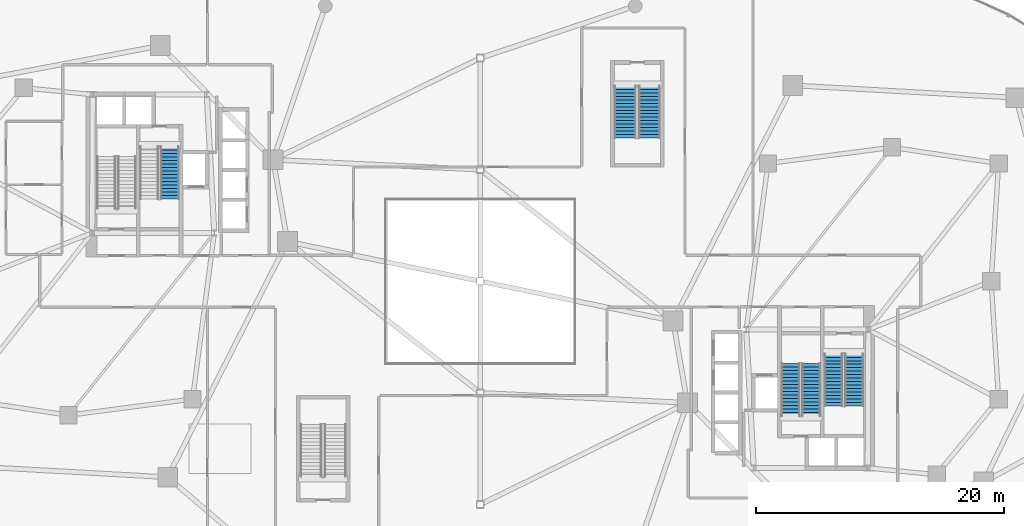
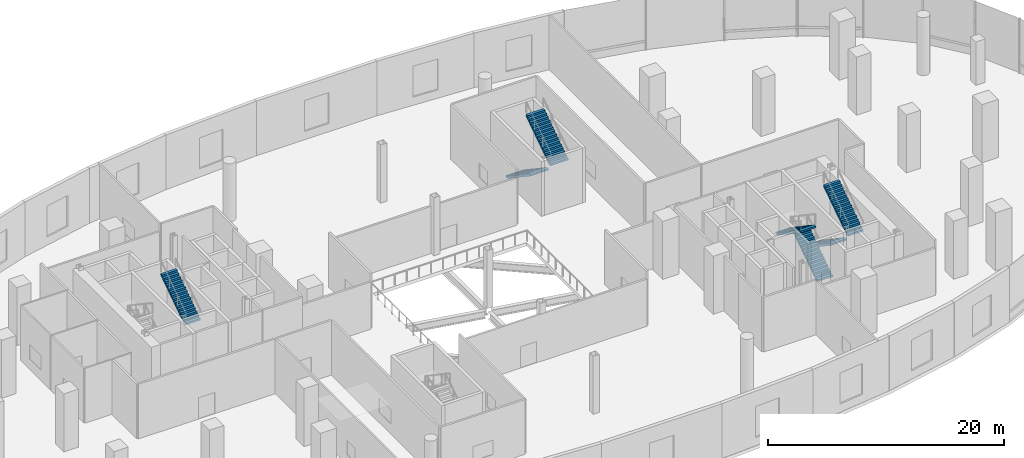
# One storey, part 16 of 20: 7 stair flights, 4 elements without a shape of their own.
"""IFC4 building model written with IfcOpenShell, lengths in metres."""

from ifc_helpers import new_model, si_unit, direction, frame, origin, place, context, subcontext, project, spatial, polyline, outline, extrude, material, type_object, element, aggregate, save


model = new_model("IFC4")

# Units and contexts
model_context = context("Model", 3, precision=1e-05, world=origin(), true_north=direction((0.0, 1.0)))
body_context = subcontext(model_context, "Body", "Model", "MODEL_VIEW")
ifc_project = project(units=[si_unit("LENGTHUNIT", "METRE"), si_unit("AREAUNIT", "SQUARE_METRE"), si_unit("VOLUMEUNIT", "CUBIC_METRE"), si_unit("PLANEANGLEUNIT", "RADIAN"), si_unit("MASSUNIT", "GRAM", prefix="KILO"), si_unit("THERMODYNAMICTEMPERATUREUNIT", "KELVIN"), si_unit("POWERUNIT", "WATT")], contexts=[model_context])

# Site, building, storey
site_placement = place(None, origin())
site = spatial("IfcSite", under=ifc_project, at=site_placement, CompositionType="ELEMENT")
building_placement = place(site_placement, origin())
building = spatial("IfcBuilding", under=site, at=building_placement, Name="Cundina Bronze Exchange", CompositionType="ELEMENT")
storey_placement = place(building_placement, frame((0.0, 0.0, 6.0)))
storey = spatial("IfcBuildingStorey", under=building, at=storey_placement, Name="L01", CompositionType="ELEMENT", Elevation=6.0)

# Stair, stair flights
ifc_material = material(Name="Concrete C40/50", Category="concrete")
stair_type_1 = type_object("IfcStairType", Name="STR-CON-600", PredefinedType="STRAIGHT_RUN_STAIR", material=ifc_material)
stair_1_placement = place(storey_placement, origin())
stair_1 = element("IfcStair", 1, at=stair_1_placement, inside=storey, type_object=stair_type_1, Name="L01 Concourse Exchange Stair E", PredefinedType="HALF_TURN_STAIR")
stair_flight_type_1 = type_object("IfcStairFlightType", Name="FLG-CON-300", PredefinedType="STRAIGHT", material=ifc_material)
stair_flight_1_placement = place(storey_placement, frame((11.695068359375, 15.75, 0.0), z_axis=(0.0, 0.0, 1.0), x_axis=(0.0, -1.0, 0.0)))
stair_flight_1 = element("IfcStairFlight", 2, at=stair_flight_1_placement, type_object=stair_flight_type_1, Name="ST-PE flight 1", NumberOfRisers=16, NumberOfTreads=15, PredefinedType="STRAIGHT", RiserHeight=0.1875, TreadLength=0.28, context=body_context, shape_type="SweptSolid", body=[
    extrude(outline(polyline([(0.0, 0.0), (0.0, 0.1875), (0.280029296875, 0.1875), (0.280029296875, 0.375), (0.56005859375, 0.375), (0.56005859375, 0.5625), (0.840087890625, 0.5625), (0.840087890625, 0.75), (1.1201171875, 0.75), (1.1201171875, 0.9375), (1.39990234375, 0.9375), (1.39990234375, 1.125), (1.679931640625, 1.125), (1.679931640625, 1.3125), (1.9599609375, 1.3125), (1.9599609375, 1.5), (2.239990234375, 1.5), (2.239990234375, 1.6875), (2.52001953125, 1.6875), (2.52001953125, 1.875), (2.800048828125, 1.875), (2.800048828125, 2.0625), (3.080078125, 2.0625), (3.080078125, 2.25), (3.360107421875, 2.25), (3.360107421875, 2.4375), (3.639892578125, 2.4375), (3.639892578125, 2.625), (3.919921875, 2.625), (3.919921875, 2.8125), (4.199951171875, 2.8125), (4.199951171875, 3.0), (4.199951171875, 2.632080078125), (0.26953125, 0.0), (0.0, 0.0)])), frame((0.0, 0.875, 0.0), z_axis=(0.0, -1.0, 0.0), x_axis=(1.0, 0.0, 0.0)), (0.0, 0.0, 1.0), 1.75),
])
stair_flight_2_placement = place(storey_placement, frame((13.64501953125, 11.550048828125, 3.0), z_axis=(0.0, 0.0, 1.0), x_axis=(0.0, 1.0, 0.0)))
stair_flight_2 = element("IfcStairFlight", 3, at=stair_flight_2_placement, type_object=stair_flight_type_1, Name="ST-PE flight 2", NumberOfRisers=16, NumberOfTreads=15, PredefinedType="STRAIGHT", RiserHeight=0.1875, TreadLength=0.28, context=body_context, shape_type="SweptSolid", body=[
    extrude(outline(polyline([(0.0, 0.0), (0.0, 0.1875), (0.280029296875, 0.1875), (0.280029296875, 0.375), (0.56005859375, 0.375), (0.56005859375, 0.5625), (0.840087890625, 0.5625), (0.840087890625, 0.75), (1.1201171875, 0.75), (1.1201171875, 0.9375), (1.39990234375, 0.9375), (1.39990234375, 1.125), (1.679931640625, 1.125), (1.679931640625, 1.3125), (1.9599609375, 1.3125), (1.9599609375, 1.5), (2.239990234375, 1.5), (2.239990234375, 1.6875), (2.52001953125, 1.6875), (2.52001953125, 1.875), (2.800048828125, 1.875), (2.800048828125, 2.0625), (3.080078125, 2.0625), (3.080078125, 2.25), (3.360107421875, 2.25), (3.360107421875, 2.4375), (3.639892578125, 2.4375), (3.639892578125, 2.625), (3.919921875, 2.625), (3.919921875, 2.8125), (4.199951171875, 2.8125), (4.199951171875, 3.0), (4.199951171875, 2.632080078125), (0.26953125, 0.0), (0.0, 0.0)])), frame((0.0, 0.875, 0.0), z_axis=(0.0, -1.0, 0.0), x_axis=(1.0, 0.0, 0.0)), (0.0, 0.0, 1.0), 1.75),
])
aggregate(stair_1, [stair_flight_1, stair_flight_2])

# Stair, stair flight
stair_type_2 = type_object("IfcStairType", Name="STR-POD-600", PredefinedType="HALF_TURN_STAIR", material=ifc_material)
stair_2_placement = place(storey_placement, origin())
stair_2 = element("IfcStair", 4, at=stair_2_placement, inside=storey, type_object=stair_type_2, Name="L01 Smokeproof Exit Stair W2", PredefinedType="HALF_TURN_STAIR")
stair_flight_type_2 = type_object("IfcStairFlightType", Name="FLG-POD-300", PredefinedType="STRAIGHT", material=ifc_material)
stair_flight_3_placement = place(storey_placement, frame((-25.030029296875, 6.64990234375, 3.0), z_axis=(0.0, 0.0, 1.0), x_axis=(0.0, 1.0, 0.0)))
stair_flight_3 = element("IfcStairFlight", 5, at=stair_flight_3_placement, type_object=stair_flight_type_2, Name="ST-W2 flight 2", NumberOfRisers=16, NumberOfTreads=15, PredefinedType="STRAIGHT", RiserHeight=0.1875, TreadLength=0.28, context=body_context, shape_type="SweptSolid", body=[
    extrude(outline(polyline([(0.0, 0.0), (0.0, 0.1875), (0.280029296875, 0.1875), (0.280029296875, 0.375), (0.56005859375, 0.375), (0.56005859375, 0.5625), (0.840087890625, 0.5625), (0.840087890625, 0.75), (1.1201171875, 0.75), (1.1201171875, 0.9375), (1.39990234375, 0.9375), (1.39990234375, 1.125), (1.679931640625, 1.125), (1.679931640625, 1.3125), (1.9599609375, 1.3125), (1.9599609375, 1.5), (2.239990234375, 1.5), (2.239990234375, 1.6875), (2.52001953125, 1.6875), (2.52001953125, 1.875), (2.800048828125, 1.875), (2.800048828125, 2.0625), (3.080078125, 2.0625), (3.080078125, 2.25), (3.360107421875, 2.25), (3.360107421875, 2.4375), (3.639892578125, 2.4375), (3.639892578125, 2.625), (3.919921875, 2.625), (3.919921875, 2.8125), (4.199951171875, 2.8125), (4.199951171875, 3.0), (4.199951171875, 2.632080078125), (0.26953125, 0.0), (0.0, 0.0)])), frame((0.0, 0.75, 0.0), z_axis=(0.0, -1.0, 0.0), x_axis=(1.0, 0.0, 0.0)), (0.0, 0.0, 1.0), 1.5),
])
aggregate(stair_2, [stair_flight_3])

# Stair, stair flights
stair_3_placement = place(storey_placement, origin())
stair_3 = element("IfcStair", 6, at=stair_3_placement, inside=storey, type_object=stair_type_2, Name="L01 Smokeproof Exit Stair E1", PredefinedType="HALF_TURN_STAIR")
stair_flight_4_placement = place(storey_placement, frame((28.489990234375, -5.85009765625, 0.0), z_axis=(0.0, 0.0, 1.0), x_axis=(0.0, -1.0, 0.0)))
stair_flight_4 = element("IfcStairFlight", 7, at=stair_flight_4_placement, type_object=stair_flight_type_2, Name="ST-E1 flight 1", NumberOfRisers=16, NumberOfTreads=15, PredefinedType="STRAIGHT", RiserHeight=0.1875, TreadLength=0.28, context=body_context, shape_type="SweptSolid", body=[
    extrude(outline(polyline([(0.0, 0.0), (0.0, 0.1875), (0.280029296875, 0.1875), (0.280029296875, 0.375), (0.56005859375, 0.375), (0.56005859375, 0.5625), (0.840087890625, 0.5625), (0.840087890625, 0.75), (1.1201171875, 0.75), (1.1201171875, 0.9375), (1.39990234375, 0.9375), (1.39990234375, 1.125), (1.679931640625, 1.125), (1.679931640625, 1.3125), (1.9599609375, 1.3125), (1.9599609375, 1.5), (2.239990234375, 1.5), (2.239990234375, 1.6875), (2.52001953125, 1.6875), (2.52001953125, 1.875), (2.800048828125, 1.875), (2.800048828125, 2.0625), (3.080078125, 2.0625), (3.080078125, 2.25), (3.360107421875, 2.25), (3.360107421875, 2.4375), (3.639892578125, 2.4375), (3.639892578125, 2.625), (3.919921875, 2.625), (3.919921875, 2.8125), (4.199951171875, 2.8125), (4.199951171875, 3.0), (4.199951171875, 2.632080078125), (0.26953125, 0.0), (0.0, 0.0)])), frame((0.0, 0.75, 0.0), z_axis=(0.0, -1.0, 0.0), x_axis=(1.0, 0.0, 0.0)), (0.0, 0.0, 1.0), 1.5),
])
stair_flight_5_placement = place(storey_placement, frame((30.14990234375, -10.050048828125, 3.0), z_axis=(0.0, 0.0, 1.0), x_axis=(0.0, 1.0, 0.0)))
stair_flight_5 = element("IfcStairFlight", 8, at=stair_flight_5_placement, type_object=stair_flight_type_2, Name="ST-E1 flight 2", NumberOfRisers=16, NumberOfTreads=15, PredefinedType="STRAIGHT", RiserHeight=0.1875, TreadLength=0.28, context=body_context, shape_type="SweptSolid", body=[
    extrude(outline(polyline([(0.0, 0.0), (0.0, 0.1875), (0.280029296875, 0.1875), (0.280029296875, 0.375), (0.56005859375, 0.375), (0.56005859375, 0.5625), (0.840087890625, 0.5625), (0.840087890625, 0.75), (1.1201171875, 0.75), (1.1201171875, 0.9375), (1.39990234375, 0.9375), (1.39990234375, 1.125), (1.679931640625, 1.125), (1.679931640625, 1.3125), (1.9599609375, 1.3125), (1.9599609375, 1.5), (2.239990234375, 1.5), (2.239990234375, 1.6875), (2.52001953125, 1.6875), (2.52001953125, 1.875), (2.800048828125, 1.875), (2.800048828125, 2.0625), (3.080078125, 2.0625), (3.080078125, 2.25), (3.360107421875, 2.25), (3.360107421875, 2.4375), (3.639892578125, 2.4375), (3.639892578125, 2.625), (3.919921875, 2.625), (3.919921875, 2.8125), (4.199951171875, 2.8125), (4.199951171875, 3.0), (4.199951171875, 2.632080078125), (0.26953125, 0.0), (0.0, 0.0)])), frame((0.0, 0.75, 0.0), z_axis=(0.0, -1.0, 0.0), x_axis=(1.0, 0.0, 0.0)), (0.0, 0.0, 1.0), 1.5),
])
aggregate(stair_3, [stair_flight_4, stair_flight_5])

stair_4_placement = place(storey_placement, origin())
stair_4 = element("IfcStair", 9, at=stair_4_placement, inside=storey, type_object=stair_type_2, Name="L01 Smokeproof Exit Stair E2", PredefinedType="HALF_TURN_STAIR")
stair_flight_6_placement = place(storey_placement, frame((26.68994140625, -10.85009765625, 0.0), z_axis=(0.0, 0.0, 1.0), x_axis=(0.0, 1.0, 0.0)))
stair_flight_6 = element("IfcStairFlight", 10, at=stair_flight_6_placement, type_object=stair_flight_type_2, Name="ST-E2 flight 1", NumberOfRisers=16, NumberOfTreads=15, PredefinedType="STRAIGHT", RiserHeight=0.1875, TreadLength=0.28, context=body_context, shape_type="SweptSolid", body=[
    extrude(outline(polyline([(0.0, 0.0), (0.0, 0.1875), (0.280029296875, 0.1875), (0.280029296875, 0.375), (0.56005859375, 0.375), (0.56005859375, 0.5625), (0.840087890625, 0.5625), (0.840087890625, 0.75), (1.1201171875, 0.75), (1.1201171875, 0.9375), (1.39990234375, 0.9375), (1.39990234375, 1.125), (1.679931640625, 1.125), (1.679931640625, 1.3125), (1.9599609375, 1.3125), (1.9599609375, 1.5), (2.239990234375, 1.5), (2.239990234375, 1.6875), (2.52001953125, 1.6875), (2.52001953125, 1.875), (2.800048828125, 1.875), (2.800048828125, 2.0625), (3.080078125, 2.0625), (3.080078125, 2.25), (3.360107421875, 2.25), (3.360107421875, 2.4375), (3.639892578125, 2.4375), (3.639892578125, 2.625), (3.919921875, 2.625), (3.919921875, 2.8125), (4.199951171875, 2.8125), (4.199951171875, 3.0), (4.199951171875, 2.632080078125), (0.26953125, 0.0), (0.0, 0.0)])), frame((0.0, 0.75, 0.0), z_axis=(0.0, -1.0, 0.0), x_axis=(1.0, 0.0, 0.0)), (0.0, 0.0, 1.0), 1.5),
])
stair_flight_7_placement = place(storey_placement, frame((25.030029296875, -6.64990234375, 3.0), z_axis=(0.0, 0.0, 1.0), x_axis=(0.0, -1.0, 0.0)))
stair_flight_7 = element("IfcStairFlight", 11, at=stair_flight_7_placement, type_object=stair_flight_type_2, Name="ST-E2 flight 2", NumberOfRisers=16, NumberOfTreads=15, PredefinedType="STRAIGHT", RiserHeight=0.1875, TreadLength=0.28, context=body_context, shape_type="SweptSolid", body=[
    extrude(outline(polyline([(0.0, 0.0), (0.0, 0.1875), (0.280029296875, 0.1875), (0.280029296875, 0.375), (0.56005859375, 0.375), (0.56005859375, 0.5625), (0.840087890625, 0.5625), (0.840087890625, 0.75), (1.1201171875, 0.75), (1.1201171875, 0.9375), (1.39990234375, 0.9375), (1.39990234375, 1.125), (1.679931640625, 1.125), (1.679931640625, 1.3125), (1.9599609375, 1.3125), (1.9599609375, 1.5), (2.239990234375, 1.5), (2.239990234375, 1.6875), (2.52001953125, 1.6875), (2.52001953125, 1.875), (2.800048828125, 1.875), (2.800048828125, 2.0625), (3.080078125, 2.0625), (3.080078125, 2.25), (3.360107421875, 2.25), (3.360107421875, 2.4375), (3.639892578125, 2.4375), (3.639892578125, 2.625), (3.919921875, 2.625), (3.919921875, 2.8125), (4.199951171875, 2.8125), (4.199951171875, 3.0), (4.199951171875, 2.632080078125), (0.26953125, 0.0), (0.0, 0.0)])), frame((0.0, 0.75, 0.0), z_axis=(0.0, -1.0, 0.0), x_axis=(1.0, 0.0, 0.0)), (0.0, 0.0, 1.0), 1.5),
])
aggregate(stair_4, [stair_flight_6, stair_flight_7])

save(model, "model.ifc")
